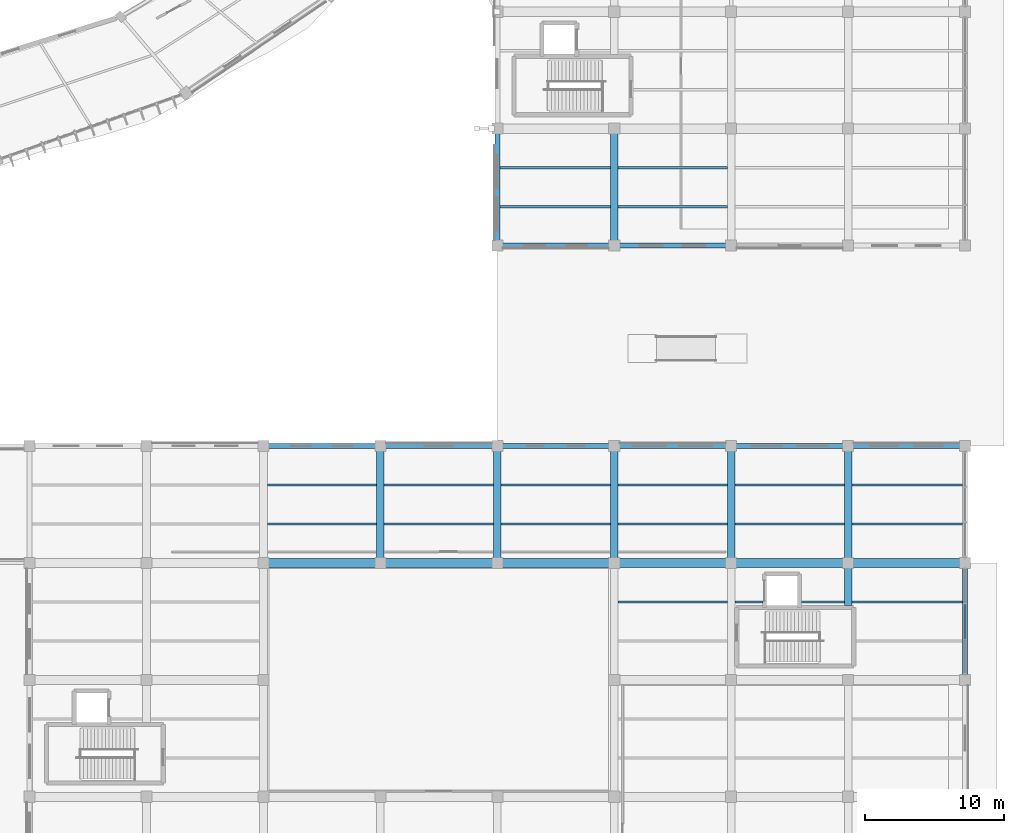
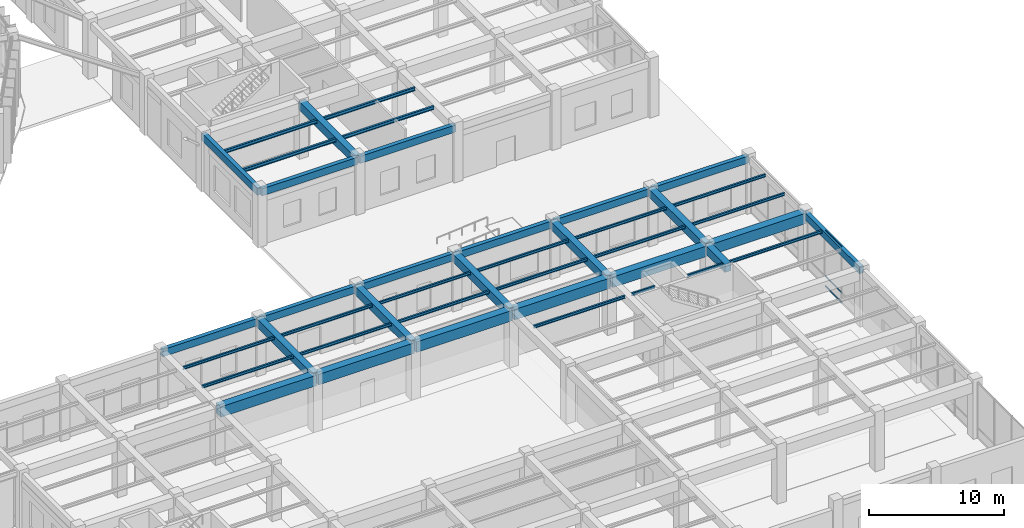
# One storey, part 90 of 157: 43 beams, 3 members, 1 element without a shape of its own.
"""IFC4 building model written with IfcOpenShell, lengths in metres."""

from ifc_helpers import new_model, si_unit, direction, frame, origin, origin_2d, place, context, subcontext, project, spatial, rectangle, hollow_rectangle, i_section, extrude, material, material_profile, profile_set, type_object, element, aggregate, save


model = new_model("IFC4")

# Units and contexts
model_context = context("Model", 3, precision=1e-05, world=origin(), true_north=direction((0.0, 1.0)))
body_context = subcontext(model_context, "Body", "Model", "MODEL_VIEW")
ifc_project = project(units=[si_unit("LENGTHUNIT", "METRE"), si_unit("AREAUNIT", "SQUARE_METRE"), si_unit("VOLUMEUNIT", "CUBIC_METRE"), si_unit("PLANEANGLEUNIT", "RADIAN"), si_unit("MASSUNIT", "GRAM", prefix="KILO"), si_unit("THERMODYNAMICTEMPERATUREUNIT", "KELVIN"), si_unit("POWERUNIT", "WATT")], contexts=[model_context])

# Site, building, storey
site_placement = place(None, origin())
site = spatial("IfcSite", under=ifc_project, at=site_placement, CompositionType="ELEMENT")
building_placement = place(site_placement, origin())
building = spatial("IfcBuilding", under=site, at=building_placement, Name="Darbajah Civic Hall", CompositionType="ELEMENT")
storey_placement = place(building_placement, origin())
storey = spatial("IfcBuildingStorey", under=building, at=storey_placement, Name="L00", CompositionType="ELEMENT", Elevation=0.0)

# Curtain wall, members
ifc_material_1 = material(Name="Anodised Bronze Aluminium and Low-E Glazing", Category="aluminium")
curtain_wall_type = type_object("IfcCurtainWallType", Name="Unitised Curtain Wall CW-17 7600x5100", PredefinedType="USERDEFINED", material=ifc_material_1)
curtain_wall_placement = place(storey_placement, origin())
curtain_wall = element("IfcCurtainWall", 1, at=curtain_wall_placement, inside=storey, type_object=curtain_wall_type, Name="L00 unitised curtain wall CW-V3-L00-S1-B3", ObjectType="UNITISED CURTAIN WALL", PredefinedType="USERDEFINED")
ifc_material_2 = material(Name="Anodised Bronze Aluminium", Category="aluminium")
ifc_material_profile_1 = material_profile(ifc_material_2, hollow_rectangle(XDim=0.06005859375, YDim=0.1201171875, WallThickness=0.003173828125, at=origin_2d()), Name="ALU TRANSOM 60x120")
ifc_profile_set_1 = profile_set([ifc_material_profile_1], Name="Anodised Bronze Aluminium")
member_type = type_object("IfcMemberType", Name="ALU TRANSOM 60x120", PredefinedType="USERDEFINED", material=ifc_profile_set_1)
member_1_placement = place(storey_placement, frame((178.199951171875, 28.1689453125, 0.06005859375), z_axis=(0.0, 1.0, 0.0), x_axis=(-1.0, 0.0, 0.0)))
member_1 = element("IfcMember", 2, at=member_1_placement, type_object=member_type, Name="CW-V3-L00-S1-B3 transom 2.1", ObjectType="TRANSOM", PredefinedType="USERDEFINED", context=body_context, shape_type="SweptSolid", body=[
    extrude(hollow_rectangle(XDim=0.06005859375, YDim=0.1201171875, WallThickness=0.003173828125, at=origin_2d()), origin(), (0.0, 0.0, 1.0), 2.462158203125),
])
member_2_placement = place(storey_placement, frame((178.199951171875, 28.1689453125, 0.949951171875), z_axis=(0.0, 1.0, 0.0), x_axis=(-1.0, 0.0, 0.0)))
member_2 = element("IfcMember", 3, at=member_2_placement, type_object=member_type, Name="CW-V3-L00-S1-B3 transom 2.2", ObjectType="TRANSOM", PredefinedType="USERDEFINED", context=body_context, shape_type="SweptSolid", body=[
    extrude(hollow_rectangle(XDim=0.06005859375, YDim=0.1201171875, WallThickness=0.003173828125, at=origin_2d()), origin(), (0.0, 0.0, 1.0), 2.462158203125),
])
member_3_placement = place(storey_placement, frame((178.199951171875, 28.1689453125, 5.0400390625), z_axis=(0.0, 1.0, 0.0), x_axis=(-1.0, 0.0, 0.0)))
member_3 = element("IfcMember", 4, at=member_3_placement, type_object=member_type, Name="CW-V3-L00-S1-B3 transom 2.3", ObjectType="TRANSOM", PredefinedType="USERDEFINED", context=body_context, shape_type="SweptSolid", body=[
    extrude(hollow_rectangle(XDim=0.06005859375, YDim=0.1201171875, WallThickness=0.003173828125, at=origin_2d()), origin(), (0.0, 0.0, 1.0), 2.462158203125),
])
aggregate(curtain_wall, [member_1, member_2, member_3])

# Beams
ifc_material_3 = material(Name="Concrete C45/55", Category="concrete")
ifc_material_profile_2 = material_profile(ifc_material_3, rectangle(XDim=0.550048828125, YDim=0.75, at=origin_2d()), Name="RC BEAM 550x750")
ifc_profile_set_2 = profile_set([ifc_material_profile_2], Name="Concrete C45/55")
beam_type_1 = type_object("IfcBeamType", Name="RC BEAM 550x750", PredefinedType="BEAM", material=ifc_profile_set_2)
for number, where, z_axis, x_axis, name in (
    (5, (136.199951171875, 33.679931640625, 4.72509765625), (0.0, 1.0, 0.0), (-1.0, 0.0, 0.0), "L00 beam BM-5575"),
    (6, (144.60009765625, 33.679931640625, 4.72509765625), (0.0, 1.0, 0.0), (-1.0, 0.0, 0.0), "L00 beam BM-5575"),
    (7, (153.0, 33.679931640625, 4.72509765625), (0.0, 1.0, 0.0), (-1.0, 0.0, 0.0), "L00 beam BM-5575"),
    (8, (161.39990234375, 33.679931640625, 4.72509765625), (0.0, 1.0, 0.0), (-1.0, 0.0, 0.0), "L00 beam BM-5575"),
):
    element("IfcBeam", number, at=place(storey_placement, frame(where, z_axis=z_axis, x_axis=x_axis)), inside=storey, type_object=beam_type_1, Name=name, PredefinedType="BEAM", context=body_context, shape_type="SweptSolid", body=[
        extrude(rectangle(XDim=0.550048828125, YDim=0.75, at=origin_2d()), origin(), (0.0, 0.0, 1.0), 8.239990234375),
    ])
beam_1_placement = place(storey_placement, frame((169.800048828125, 30.5400390625, 4.72509765625), z_axis=(0.0, 1.0, 0.0), x_axis=(-1.0, 0.0, 0.0)))
element("IfcBeam", 9, at=beam_1_placement, inside=storey, type_object=beam_type_1, Name="L00 beam BM-5575", PredefinedType="BEAM", context=body_context, shape_type="SweptSolid", body=[
    extrude(rectangle(XDim=0.550048828125, YDim=0.75, at=origin_2d()), origin(), (0.0, 0.0, 1.0), 2.97998046875),
])
for number, where, z_axis, x_axis, name in (
    (10, (169.800048828125, 33.679931640625, 4.72509765625), (0.0, 1.0, 0.0), (-1.0, 0.0, 0.0), "L00 beam BM-5575"),
    (11, (153.0, 56.47998046875, 4.68505859375), (0.0, 1.0, 0.0), (-1.0, 0.0, 0.0), "L00 beam BM-5575"),
):
    element("IfcBeam", number, at=place(storey_placement, frame(where, z_axis=z_axis, x_axis=x_axis)), inside=storey, type_object=beam_type_1, Name=name, PredefinedType="BEAM", context=body_context, shape_type="SweptSolid", body=[
        extrude(rectangle(XDim=0.550048828125, YDim=0.75, at=origin_2d()), origin(), (0.0, 0.0, 1.0), 8.239990234375),
    ])
ifc_material_4 = material(Name="Concrete C50/60", Category="concrete")
ifc_material_profile_3 = material_profile(ifc_material_4, rectangle(XDim=0.64990234375, YDim=0.949951171875, at=origin_2d()), Name="RC GIRDER 650x950")
ifc_profile_set_3 = profile_set([ifc_material_profile_3], Name="Concrete C50/60")
beam_type_2 = type_object("IfcBeamType", Name="RC GIRDER 650x950", PredefinedType="BEAM", material=ifc_profile_set_3)
beam_2_placement = place(storey_placement, frame((127.8798828125, 33.60009765625, 4.625), z_axis=(1.0, 0.0, 0.0), x_axis=(0.0, 1.0, 0.0)))
element("IfcBeam", 12, at=beam_2_placement, inside=storey, type_object=beam_type_2, Name="L00 beam BG-6595", PredefinedType="BEAM", context=body_context, shape_type="SweptSolid", body=[
    extrude(rectangle(XDim=0.64990234375, YDim=0.949951171875, at=origin_2d()), origin(), (0.0, 0.0, 1.0), 8.240234375),
])
for number, where, z_axis, x_axis, name in (
    (13, (136.280029296875, 33.60009765625, 4.625), (1.0, 0.0, 0.0), (0.0, 1.0, 0.0), "L00 beam BG-6595"),
    (14, (144.679931640625, 33.60009765625, 4.625), (1.0, 0.0, 0.0), (0.0, 1.0, 0.0), "L00 beam BG-6595"),
    (15, (153.080078125, 33.60009765625, 4.625), (1.0, 0.0, 0.0), (0.0, 1.0, 0.0), "L00 beam BG-6595"),
    (16, (161.47998046875, 33.60009765625, 4.625), (1.0, 0.0, 0.0), (0.0, 1.0, 0.0), "L00 beam BG-6595"),
):
    element("IfcBeam", number, at=place(storey_placement, frame(where, z_axis=z_axis, x_axis=x_axis)), inside=storey, type_object=beam_type_2, Name=name, PredefinedType="BEAM", context=body_context, shape_type="SweptSolid", body=[
        extrude(rectangle(XDim=0.64990234375, YDim=0.949951171875, at=origin_2d()), origin(), (0.0, 0.0, 1.0), 8.239990234375),
    ])
beam_3_placement = place(storey_placement, frame((169.8798828125, 33.60009765625, 4.625), z_axis=(1.0, 0.0, 0.0), x_axis=(0.0, 1.0, 0.0)))
element("IfcBeam", 17, at=beam_3_placement, inside=storey, type_object=beam_type_2, Name="L00 beam BG-6595", PredefinedType="BEAM", context=body_context, shape_type="SweptSolid", body=[
    extrude(rectangle(XDim=0.64990234375, YDim=0.949951171875, at=origin_2d()), origin(), (0.0, 0.0, 1.0), 8.240234375),
])
ifc_material_profile_4 = material_profile(ifc_material_3, rectangle(XDim=0.35009765625, YDim=0.64990234375, at=origin_2d()), Name="RC SPANDREL 350x650")
ifc_profile_set_4 = profile_set([ifc_material_profile_4], Name="Concrete C45/55")
beam_type_3 = type_object("IfcBeamType", Name="RC SPANDREL 350x650", PredefinedType="SPANDREL", material=ifc_profile_set_4)
beam_4_placement = place(storey_placement, frame((127.8798828125, 42.0, 4.77490234375), z_axis=(1.0, 0.0, 0.0), x_axis=(0.0, 1.0, 0.0)))
element("IfcBeam", 18, at=beam_4_placement, inside=storey, type_object=beam_type_3, Name="L00 beam SP-3565", PredefinedType="SPANDREL", context=body_context, shape_type="SweptSolid", body=[
    extrude(rectangle(XDim=0.35009765625, YDim=0.64990234375, at=origin_2d()), origin(), (0.0, 0.0, 1.0), 8.240234375),
])
for number, where, z_axis, x_axis, name in (
    (19, (136.280029296875, 42.0, 4.77490234375), (1.0, 0.0, 0.0), (0.0, 1.0, 0.0), "L00 beam SP-3565"),
    (20, (144.679931640625, 42.0, 4.77490234375), (1.0, 0.0, 0.0), (0.0, 1.0, 0.0), "L00 beam SP-3565"),
    (21, (153.080078125, 42.0, 4.77490234375), (1.0, 0.0, 0.0), (0.0, 1.0, 0.0), "L00 beam SP-3565"),
    (22, (161.47998046875, 42.0, 4.77490234375), (1.0, 0.0, 0.0), (0.0, 1.0, 0.0), "L00 beam SP-3565"),
):
    element("IfcBeam", number, at=place(storey_placement, frame(where, z_axis=z_axis, x_axis=x_axis)), inside=storey, type_object=beam_type_3, Name=name, PredefinedType="SPANDREL", context=body_context, shape_type="SweptSolid", body=[
        extrude(rectangle(XDim=0.35009765625, YDim=0.64990234375, at=origin_2d()), origin(), (0.0, 0.0, 1.0), 8.239990234375),
    ])
beam_5_placement = place(storey_placement, frame((169.8798828125, 42.0, 4.77490234375), z_axis=(1.0, 0.0, 0.0), x_axis=(0.0, 1.0, 0.0)))
element("IfcBeam", 23, at=beam_5_placement, inside=storey, type_object=beam_type_3, Name="L00 beam SP-3565", PredefinedType="SPANDREL", context=body_context, shape_type="SweptSolid", body=[
    extrude(rectangle(XDim=0.35009765625, YDim=0.64990234375, at=origin_2d()), origin(), (0.0, 0.0, 1.0), 8.240234375),
])
for number, where, z_axis, x_axis, name in (
    (24, (178.199951171875, 25.280029296875, 4.77490234375), (0.0, 1.0, 0.0), (-1.0, 0.0, 0.0), "L00 beam SP-3565"),
    (25, (144.679931640625, 56.39990234375, 4.735107421875), (1.0, 0.0, 0.0), (0.0, 1.0, 0.0), "L00 beam SP-3565"),
    (26, (153.080078125, 56.39990234375, 4.735107421875), (1.0, 0.0, 0.0), (0.0, 1.0, 0.0), "L00 beam SP-3565"),
    (27, (144.60009765625, 56.47998046875, 4.735107421875), (0.0, 1.0, 0.0), (-1.0, 0.0, 0.0), "L00 beam SP-3565"),
):
    element("IfcBeam", number, at=place(storey_placement, frame(where, z_axis=z_axis, x_axis=x_axis)), inside=storey, type_object=beam_type_3, Name=name, PredefinedType="SPANDREL", context=body_context, shape_type="SweptSolid", body=[
        extrude(rectangle(XDim=0.35009765625, YDim=0.64990234375, at=origin_2d()), origin(), (0.0, 0.0, 1.0), 8.239990234375),
    ])
ifc_material_5 = material(Name="Steel S355JR", Category="steel")
ifc_material_profile_5 = material_profile(ifc_material_5, i_section(OverallWidth=0.146484375, OverallDepth=0.256103515625, WebThickness=0.00634765625, FlangeThickness=0.010986328125, FilletRadius=0.007568359375, at=origin_2d()), Name="UB 254x146x37")
ifc_profile_set_5 = profile_set([ifc_material_profile_5], Name="Steel S355JR")
beam_type_4 = type_object("IfcBeamType", Name="UB 254x146x37", PredefinedType="JOIST", material=ifc_profile_set_5)
for number, where, z_axis, x_axis, name in (
    (28, (128.074951171875, 36.39990234375, 4.971923828125), (1.0, 0.0, 0.0), (0.0, 1.0, 0.0), "L00 beam SJ-254"),
    (29, (128.074951171875, 39.199951171875, 4.971923828125), (1.0, 0.0, 0.0), (0.0, 1.0, 0.0), "L00 beam SJ-254"),
):
    element("IfcBeam", number, at=place(storey_placement, frame(where, z_axis=z_axis, x_axis=x_axis)), inside=storey, type_object=beam_type_4, Name=name, PredefinedType="JOIST", context=body_context, shape_type="SweptSolid", body=[
        extrude(i_section(OverallWidth=0.146484375, OverallDepth=0.256103515625, WebThickness=0.00634765625, FlangeThickness=0.010986328125, FilletRadius=0.007568359375, at=origin_2d()), origin(), (0.0, 0.0, 1.0), 7.85009765625),
    ])
for number, where, z_axis, x_axis, name in (
    (30, (136.47509765625, 36.39990234375, 4.971923828125), (1.0, 0.0, 0.0), (0.0, 1.0, 0.0), "L00 beam SJ-254"),
    (31, (136.47509765625, 39.199951171875, 4.971923828125), (1.0, 0.0, 0.0), (0.0, 1.0, 0.0), "L00 beam SJ-254"),
):
    element("IfcBeam", number, at=place(storey_placement, frame(where, z_axis=z_axis, x_axis=x_axis)), inside=storey, type_object=beam_type_4, Name=name, PredefinedType="JOIST", context=body_context, shape_type="SweptSolid", body=[
        extrude(i_section(OverallWidth=0.146484375, OverallDepth=0.256103515625, WebThickness=0.00634765625, FlangeThickness=0.010986328125, FilletRadius=0.007568359375, at=origin_2d()), origin(), (0.0, 0.0, 1.0), 7.849853515625),
    ])
for number, where, z_axis, x_axis, name in (
    (32, (144.875, 36.39990234375, 4.971923828125), (1.0, 0.0, 0.0), (0.0, 1.0, 0.0), "L00 beam SJ-254"),
    (33, (144.875, 39.199951171875, 4.971923828125), (1.0, 0.0, 0.0), (0.0, 1.0, 0.0), "L00 beam SJ-254"),
    (34, (153.27490234375, 30.800048828125, 4.971923828125), (1.0, 0.0, 0.0), (0.0, 1.0, 0.0), "L00 beam SJ-254"),
    (35, (153.27490234375, 36.39990234375, 4.971923828125), (1.0, 0.0, 0.0), (0.0, 1.0, 0.0), "L00 beam SJ-254"),
    (36, (153.27490234375, 39.199951171875, 4.971923828125), (1.0, 0.0, 0.0), (0.0, 1.0, 0.0), "L00 beam SJ-254"),
):
    element("IfcBeam", number, at=place(storey_placement, frame(where, z_axis=z_axis, x_axis=x_axis)), inside=storey, type_object=beam_type_4, Name=name, PredefinedType="JOIST", context=body_context, shape_type="SweptSolid", body=[
        extrude(i_section(OverallWidth=0.146484375, OverallDepth=0.256103515625, WebThickness=0.00634765625, FlangeThickness=0.010986328125, FilletRadius=0.007568359375, at=origin_2d()), origin(), (0.0, 0.0, 1.0), 7.85009765625),
    ])
beam_6_placement = place(storey_placement, frame((161.675048828125, 30.800048828125, 4.971923828125), z_axis=(1.0, 0.0, 0.0), x_axis=(0.0, 1.0, 0.0)))
element("IfcBeam", 37, at=beam_6_placement, inside=storey, type_object=beam_type_4, Name="L00 beam SJ-254", PredefinedType="JOIST", context=body_context, shape_type="SweptSolid", body=[
    extrude(i_section(OverallWidth=0.146484375, OverallDepth=0.256103515625, WebThickness=0.00634765625, FlangeThickness=0.010986328125, FilletRadius=0.007568359375, at=origin_2d()), origin(), (0.0, 0.0, 1.0), 2.0048828125),
])
beam_7_placement = place(storey_placement, frame((166.419921875, 30.800048828125, 4.971923828125), z_axis=(1.0, 0.0, 0.0), x_axis=(0.0, 1.0, 0.0)))
element("IfcBeam", 38, at=beam_7_placement, inside=storey, type_object=beam_type_4, Name="L00 beam SJ-254", PredefinedType="JOIST", context=body_context, shape_type="SweptSolid", body=[
    extrude(i_section(OverallWidth=0.146484375, OverallDepth=0.256103515625, WebThickness=0.00634765625, FlangeThickness=0.010986328125, FilletRadius=0.007568359375, at=origin_2d()), origin(), (0.0, 0.0, 1.0), 3.10498046875),
])
for number, where, z_axis, x_axis, name in (
    (39, (161.675048828125, 36.39990234375, 4.971923828125), (1.0, 0.0, 0.0), (0.0, 1.0, 0.0), "L00 beam SJ-254"),
    (40, (161.675048828125, 39.199951171875, 4.971923828125), (1.0, 0.0, 0.0), (0.0, 1.0, 0.0), "L00 beam SJ-254"),
):
    element("IfcBeam", number, at=place(storey_placement, frame(where, z_axis=z_axis, x_axis=x_axis)), inside=storey, type_object=beam_type_4, Name=name, PredefinedType="JOIST", context=body_context, shape_type="SweptSolid", body=[
        extrude(i_section(OverallWidth=0.146484375, OverallDepth=0.256103515625, WebThickness=0.00634765625, FlangeThickness=0.010986328125, FilletRadius=0.007568359375, at=origin_2d()), origin(), (0.0, 0.0, 1.0), 7.849853515625),
    ])
for number, where, z_axis, x_axis, name in (
    (41, (170.074951171875, 30.800048828125, 4.971923828125), (1.0, 0.0, 0.0), (0.0, 1.0, 0.0), "L00 beam SJ-254"),
    (42, (170.074951171875, 36.39990234375, 4.971923828125), (1.0, 0.0, 0.0), (0.0, 1.0, 0.0), "L00 beam SJ-254"),
    (43, (170.074951171875, 39.199951171875, 4.971923828125), (1.0, 0.0, 0.0), (0.0, 1.0, 0.0), "L00 beam SJ-254"),
):
    element("IfcBeam", number, at=place(storey_placement, frame(where, z_axis=z_axis, x_axis=x_axis)), inside=storey, type_object=beam_type_4, Name=name, PredefinedType="JOIST", context=body_context, shape_type="SweptSolid", body=[
        extrude(i_section(OverallWidth=0.146484375, OverallDepth=0.256103515625, WebThickness=0.00634765625, FlangeThickness=0.010986328125, FilletRadius=0.007568359375, at=origin_2d()), origin(), (0.0, 0.0, 1.0), 7.949951171875),
    ])
ifc_material_profile_6 = material_profile(ifc_material_5, i_section(OverallWidth=0.165771484375, OverallDepth=0.306640625, WebThickness=0.006591796875, FlangeThickness=0.01171875, FilletRadius=0.0087890625, at=origin_2d()), Name="UB 305x165x46")
ifc_profile_set_6 = profile_set([ifc_material_profile_6], Name="Steel S355JR")
beam_type_5 = type_object("IfcBeamType", Name="UB 305x165x46", PredefinedType="JOIST", material=ifc_profile_set_6)
for number, where, z_axis, x_axis, name in (
    (44, (144.77490234375, 59.199951171875, 4.90673828125), (1.0, 0.0, 0.0), (0.0, 1.0, 0.0), "L00 beam SJ-305"),
    (45, (144.77490234375, 62.0, 4.90673828125), (1.0, 0.0, 0.0), (0.0, 1.0, 0.0), "L00 beam SJ-305"),
):
    element("IfcBeam", number, at=place(storey_placement, frame(where, z_axis=z_axis, x_axis=x_axis)), inside=storey, type_object=beam_type_5, Name=name, PredefinedType="JOIST", context=body_context, shape_type="SweptSolid", body=[
        extrude(i_section(OverallWidth=0.165771484375, OverallDepth=0.306640625, WebThickness=0.006591796875, FlangeThickness=0.01171875, FilletRadius=0.0087890625, at=origin_2d()), origin(), (0.0, 0.0, 1.0), 7.9501953125),
    ])
for number, where, z_axis, x_axis, name in (
    (46, (153.27490234375, 59.199951171875, 4.90673828125), (1.0, 0.0, 0.0), (0.0, 1.0, 0.0), "L00 beam SJ-305"),
    (47, (153.27490234375, 62.0, 4.90673828125), (1.0, 0.0, 0.0), (0.0, 1.0, 0.0), "L00 beam SJ-305"),
):
    element("IfcBeam", number, at=place(storey_placement, frame(where, z_axis=z_axis, x_axis=x_axis)), inside=storey, type_object=beam_type_5, Name=name, PredefinedType="JOIST", context=body_context, shape_type="SweptSolid", body=[
        extrude(i_section(OverallWidth=0.165771484375, OverallDepth=0.306640625, WebThickness=0.006591796875, FlangeThickness=0.01171875, FilletRadius=0.0087890625, at=origin_2d()), origin(), (0.0, 0.0, 1.0), 7.85009765625),
    ])

save(model, "model.ifc")
